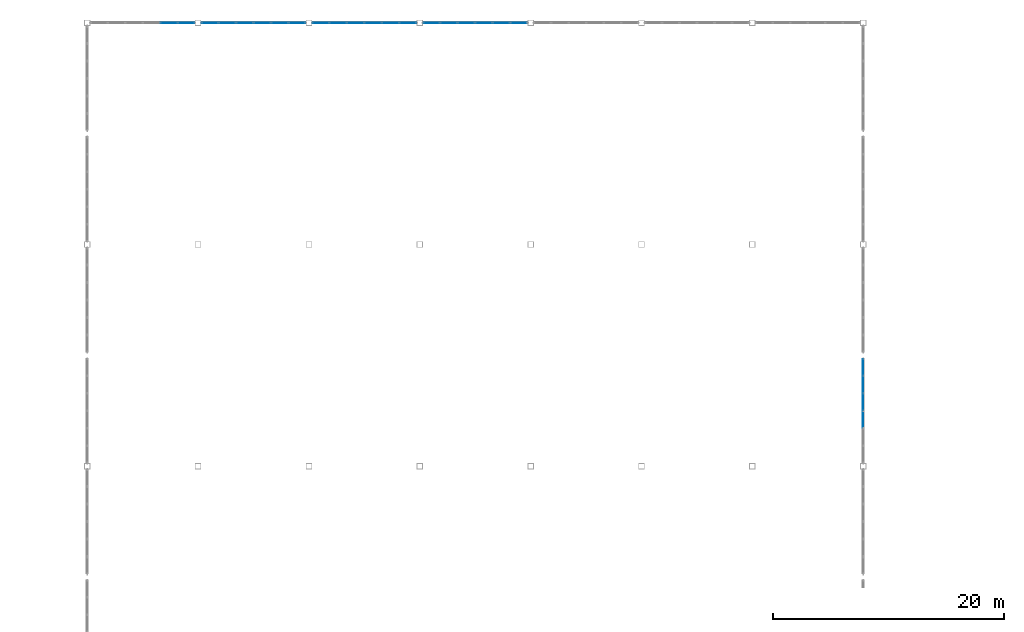
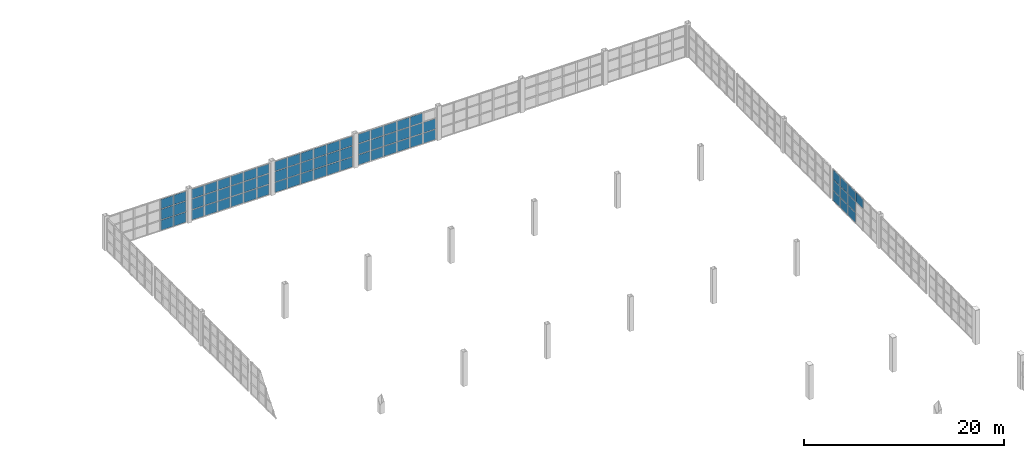
# One storey, part 57 of 82: 69 plates, 5 elements without a shape of their own.
"""IFC4 building model written with IfcOpenShell, lengths in metres."""

from ifc_helpers import new_model, si_unit, direction, frame, origin, origin_2d, place, context, subcontext, project, spatial, rectangle, extrude, material, layer, layer_set, type_object, element, aggregate, save


model = new_model("IFC4")

# Units and contexts
model_context = context("Model", 3, precision=1e-05, world=origin(), true_north=direction((0.0, 1.0)))
body_context = subcontext(model_context, "Body", "Model", "MODEL_VIEW")
ifc_project = project(units=[si_unit("LENGTHUNIT", "METRE"), si_unit("AREAUNIT", "SQUARE_METRE"), si_unit("VOLUMEUNIT", "CUBIC_METRE"), si_unit("PLANEANGLEUNIT", "RADIAN"), si_unit("MASSUNIT", "GRAM", prefix="KILO")], contexts=[model_context])

# Site, building, storey
site_placement = place(None, origin())
site = spatial("IfcSite", under=ifc_project, at=site_placement, CompositionType="ELEMENT")
building_placement = place(site_placement, origin())
building = spatial("IfcBuilding", under=site, at=building_placement, Name="Zarnetskaya Central Station", CompositionType="ELEMENT")
storey_placement = place(building_placement, frame((0.0, 0.0, 10.199951171875)))
storey = spatial("IfcBuildingStorey", under=building, at=storey_placement, Name="L02", CompositionType="ELEMENT", Elevation=10.199951171875)

# Curtain wall, plates
ifc_material = material(Name="Low-E insulated glass", Category="glass")
ifc_layer_1 = layer(ifc_material, 0.1640625, Name="Low-E insulated glass", Category="glass")
ifc_layer_set_1 = layer_set([ifc_layer_1], Name="Low-E insulated glass")
curtain_wall_type = type_object("IfcCurtainWallType", Name="CW-SYS-12", PredefinedType="USERDEFINED", material=ifc_layer_set_1)
curtain_wall_1_placement = place(storey_placement, origin())
curtain_wall_1 = element("IfcCurtainWall", 1, at=curtain_wall_1_placement, inside=storey, type_object=curtain_wall_type, Name="Curtain wall CW-L02-170", ObjectType="CURTAIN WALL", PredefinedType="USERDEFINED")
ifc_layer_2 = layer(ifc_material, 0.028076171875, Name="Low-E insulated glass", Category="glass")
ifc_layer_set_2 = layer_set([ifc_layer_2], Name="Low-E insulated glass")
plate_type_1 = type_object("IfcPlateType", Name="CW-PAN-28", PredefinedType="CURTAIN_PANEL", material=ifc_layer_set_2)
plate_1_placement = place(storey_placement, frame((68.228271484375, 124.800048828125, 0.080078125), z_axis=(0.0, 0.0, 1.0), x_axis=(1.0, 0.0, 0.0)))
plate_1 = element("IfcPlate", 2, at=plate_1_placement, type_object=plate_type_1, Name="CW-18 panel 1.1", PredefinedType="CURTAIN_PANEL", context=body_context, shape_type="SweptSolid", body=[
    extrude(rectangle(XDim=1.396728515625, YDim=0.028076171875, at=origin_2d()), origin(), (0.0, 0.0, 1.0), 1.2060546875),
])
plate_2_placement = place(storey_placement, frame((68.228271484375, 124.800048828125, 1.365966796875), z_axis=(0.0, 0.0, 1.0), x_axis=(1.0, 0.0, 0.0)))
plate_2 = element("IfcPlate", 3, at=plate_2_placement, type_object=plate_type_1, Name="CW-18 panel 1.2", PredefinedType="CURTAIN_PANEL", context=body_context, shape_type="SweptSolid", body=[
    extrude(rectangle(XDim=1.396728515625, YDim=0.028076171875, at=origin_2d()), origin(), (0.0, 0.0, 1.0), 1.24609375),
])
plate_3_placement = place(storey_placement, frame((68.228271484375, 124.800048828125, 2.692138671875), z_axis=(0.0, 0.0, 1.0), x_axis=(1.0, 0.0, 0.0)))
plate_3 = element("IfcPlate", 4, at=plate_3_placement, type_object=plate_type_1, Name="CW-18 panel 1.3", PredefinedType="CURTAIN_PANEL", context=body_context, shape_type="SweptSolid", body=[
    extrude(rectangle(XDim=1.396728515625, YDim=0.028076171875, at=origin_2d()), origin(), (0.0, 0.0, 1.0), 1.1279296875),
])
plate_4_placement = place(storey_placement, frame((69.72509765625, 124.800048828125, 0.080078125), z_axis=(0.0, 0.0, 1.0), x_axis=(1.0, 0.0, 0.0)))
plate_4 = element("IfcPlate", 5, at=plate_4_placement, type_object=plate_type_1, Name="CW-18 panel 2.1", PredefinedType="CURTAIN_PANEL", context=body_context, shape_type="SweptSolid", body=[
    extrude(rectangle(XDim=1.436767578125, YDim=0.028076171875, at=origin_2d()), origin(), (0.0, 0.0, 1.0), 1.2060546875),
])
plate_5_placement = place(storey_placement, frame((69.72509765625, 124.800048828125, 1.365966796875), z_axis=(0.0, 0.0, 1.0), x_axis=(1.0, 0.0, 0.0)))
plate_5 = element("IfcPlate", 6, at=plate_5_placement, type_object=plate_type_1, Name="CW-18 panel 2.2", PredefinedType="CURTAIN_PANEL", context=body_context, shape_type="SweptSolid", body=[
    extrude(rectangle(XDim=1.436767578125, YDim=0.028076171875, at=origin_2d()), origin(), (0.0, 0.0, 1.0), 1.24609375),
])
plate_6_placement = place(storey_placement, frame((69.72509765625, 124.800048828125, 2.692138671875), z_axis=(0.0, 0.0, 1.0), x_axis=(1.0, 0.0, 0.0)))
plate_6 = element("IfcPlate", 7, at=plate_6_placement, type_object=plate_type_1, Name="CW-18 panel 2.3", PredefinedType="CURTAIN_PANEL", context=body_context, shape_type="SweptSolid", body=[
    extrude(rectangle(XDim=1.436767578125, YDim=0.028076171875, at=origin_2d()), origin(), (0.0, 0.0, 1.0), 1.1279296875),
])
plate_7_placement = place(storey_placement, frame((71.24169921875, 124.800048828125, 0.080078125), z_axis=(0.0, 0.0, 1.0), x_axis=(1.0, 0.0, 0.0)))
plate_7 = element("IfcPlate", 8, at=plate_7_placement, type_object=plate_type_1, Name="CW-18 panel 3.1", PredefinedType="CURTAIN_PANEL", context=body_context, shape_type="SweptSolid", body=[
    extrude(rectangle(XDim=1.436767578125, YDim=0.028076171875, at=origin_2d()), origin(), (0.0, 0.0, 1.0), 1.2060546875),
])
plate_8_placement = place(storey_placement, frame((71.24169921875, 124.800048828125, 1.365966796875), z_axis=(0.0, 0.0, 1.0), x_axis=(1.0, 0.0, 0.0)))
plate_8 = element("IfcPlate", 9, at=plate_8_placement, type_object=plate_type_1, Name="CW-18 panel 3.2", PredefinedType="CURTAIN_PANEL", context=body_context, shape_type="SweptSolid", body=[
    extrude(rectangle(XDim=1.436767578125, YDim=0.028076171875, at=origin_2d()), origin(), (0.0, 0.0, 1.0), 1.24609375),
])
plate_9_placement = place(storey_placement, frame((71.24169921875, 124.800048828125, 2.692138671875), z_axis=(0.0, 0.0, 1.0), x_axis=(1.0, 0.0, 0.0)))
plate_9 = element("IfcPlate", 10, at=plate_9_placement, type_object=plate_type_1, Name="CW-18 panel 3.3", PredefinedType="CURTAIN_PANEL", context=body_context, shape_type="SweptSolid", body=[
    extrude(rectangle(XDim=1.436767578125, YDim=0.028076171875, at=origin_2d()), origin(), (0.0, 0.0, 1.0), 1.1279296875),
])
plate_10_placement = place(storey_placement, frame((72.75830078125, 124.800048828125, 0.080078125), z_axis=(0.0, 0.0, 1.0), x_axis=(1.0, 0.0, 0.0)))
plate_10 = element("IfcPlate", 11, at=plate_10_placement, type_object=plate_type_1, Name="CW-18 panel 4.1", PredefinedType="CURTAIN_PANEL", context=body_context, shape_type="SweptSolid", body=[
    extrude(rectangle(XDim=1.436767578125, YDim=0.028076171875, at=origin_2d()), origin(), (0.0, 0.0, 1.0), 1.2060546875),
])
plate_11_placement = place(storey_placement, frame((72.75830078125, 124.800048828125, 1.365966796875), z_axis=(0.0, 0.0, 1.0), x_axis=(1.0, 0.0, 0.0)))
plate_11 = element("IfcPlate", 12, at=plate_11_placement, type_object=plate_type_1, Name="CW-18 panel 4.2", PredefinedType="CURTAIN_PANEL", context=body_context, shape_type="SweptSolid", body=[
    extrude(rectangle(XDim=1.436767578125, YDim=0.028076171875, at=origin_2d()), origin(), (0.0, 0.0, 1.0), 1.24609375),
])
plate_12_placement = place(storey_placement, frame((72.75830078125, 124.800048828125, 2.692138671875), z_axis=(0.0, 0.0, 1.0), x_axis=(1.0, 0.0, 0.0)))
plate_12 = element("IfcPlate", 13, at=plate_12_placement, type_object=plate_type_1, Name="CW-18 panel 4.3", PredefinedType="CURTAIN_PANEL", context=body_context, shape_type="SweptSolid", body=[
    extrude(rectangle(XDim=1.436767578125, YDim=0.028076171875, at=origin_2d()), origin(), (0.0, 0.0, 1.0), 1.1279296875),
])
plate_13_placement = place(storey_placement, frame((74.27490234375, 124.800048828125, 0.080078125), z_axis=(0.0, 0.0, 1.0), x_axis=(1.0, 0.0, 0.0)))
plate_13 = element("IfcPlate", 14, at=plate_13_placement, type_object=plate_type_1, Name="CW-18 panel 5.1", PredefinedType="CURTAIN_PANEL", context=body_context, shape_type="SweptSolid", body=[
    extrude(rectangle(XDim=1.436767578125, YDim=0.028076171875, at=origin_2d()), origin(), (0.0, 0.0, 1.0), 1.2060546875),
])
plate_14_placement = place(storey_placement, frame((74.27490234375, 124.800048828125, 1.365966796875), z_axis=(0.0, 0.0, 1.0), x_axis=(1.0, 0.0, 0.0)))
plate_14 = element("IfcPlate", 15, at=plate_14_placement, type_object=plate_type_1, Name="CW-18 panel 5.2", PredefinedType="CURTAIN_PANEL", context=body_context, shape_type="SweptSolid", body=[
    extrude(rectangle(XDim=1.436767578125, YDim=0.028076171875, at=origin_2d()), origin(), (0.0, 0.0, 1.0), 1.24609375),
])
plate_15_placement = place(storey_placement, frame((74.27490234375, 124.800048828125, 2.692138671875), z_axis=(0.0, 0.0, 1.0), x_axis=(1.0, 0.0, 0.0)))
plate_15 = element("IfcPlate", 16, at=plate_15_placement, type_object=plate_type_1, Name="CW-18 panel 5.3", PredefinedType="CURTAIN_PANEL", context=body_context, shape_type="SweptSolid", body=[
    extrude(rectangle(XDim=1.436767578125, YDim=0.028076171875, at=origin_2d()), origin(), (0.0, 0.0, 1.0), 1.1279296875),
])
plate_16_placement = place(storey_placement, frame((75.771728515625, 124.800048828125, 0.080078125), z_axis=(0.0, 0.0, 1.0), x_axis=(1.0, 0.0, 0.0)))
plate_16 = element("IfcPlate", 17, at=plate_16_placement, type_object=plate_type_1, Name="CW-18 panel 6.1", PredefinedType="CURTAIN_PANEL", context=body_context, shape_type="SweptSolid", body=[
    extrude(rectangle(XDim=1.396728515625, YDim=0.028076171875, at=origin_2d()), origin(), (0.0, 0.0, 1.0), 1.2060546875),
])
plate_17_placement = place(storey_placement, frame((75.771728515625, 124.800048828125, 1.365966796875), z_axis=(0.0, 0.0, 1.0), x_axis=(1.0, 0.0, 0.0)))
plate_17 = element("IfcPlate", 18, at=plate_17_placement, type_object=plate_type_1, Name="CW-18 panel 6.2", PredefinedType="CURTAIN_PANEL", context=body_context, shape_type="SweptSolid", body=[
    extrude(rectangle(XDim=1.396728515625, YDim=0.028076171875, at=origin_2d()), origin(), (0.0, 0.0, 1.0), 1.24609375),
])
plate_18_placement = place(storey_placement, frame((75.771728515625, 124.800048828125, 2.692138671875), z_axis=(0.0, 0.0, 1.0), x_axis=(1.0, 0.0, 0.0)))
plate_18 = element("IfcPlate", 19, at=plate_18_placement, type_object=plate_type_1, Name="CW-18 panel 6.3", PredefinedType="CURTAIN_PANEL", context=body_context, shape_type="SweptSolid", body=[
    extrude(rectangle(XDim=1.396728515625, YDim=0.028076171875, at=origin_2d()), origin(), (0.0, 0.0, 1.0), 1.1279296875),
])
aggregate(curtain_wall_1, [plate_1, plate_2, plate_3, plate_4, plate_5, plate_6, plate_7, plate_8, plate_9, plate_10, plate_11, plate_12, plate_13, plate_14, plate_15, plate_16, plate_17, plate_18])

curtain_wall_2_placement = place(storey_placement, origin())
curtain_wall_2 = element("IfcCurtainWall", 20, at=curtain_wall_2_placement, inside=storey, type_object=curtain_wall_type, Name="Curtain wall CW-L02-171", ObjectType="CURTAIN WALL", PredefinedType="USERDEFINED")
ifc_layer_3 = layer(ifc_material, 0.031982421875, Name="Low-E insulated glass", Category="glass")
ifc_layer_set_3 = layer_set([ifc_layer_3], Name="Low-E insulated glass")
plate_type_2 = type_object("IfcPlateType", Name="CW-PAN-32", PredefinedType="CURTAIN_PANEL", material=ifc_layer_set_3)
plate_19_placement = place(storey_placement, frame((77.825927734375, 124.800048828125, 0.0703125), z_axis=(0.0, 0.0, 1.0), x_axis=(1.0, 0.0, 0.0)))
plate_19 = element("IfcPlate", 21, at=plate_19_placement, type_object=plate_type_2, Name="CW-18 panel 1.1", PredefinedType="CURTAIN_PANEL", context=body_context, shape_type="SweptSolid", body=[
    extrude(rectangle(XDim=1.41162109375, YDim=0.031982421875, at=origin_2d()), origin(), (0.0, 0.0, 1.0), 1.220947265625),
])
plate_20_placement = place(storey_placement, frame((77.825927734375, 124.800048828125, 1.36083984375), z_axis=(0.0, 0.0, 1.0), x_axis=(1.0, 0.0, 0.0)))
plate_20 = element("IfcPlate", 22, at=plate_20_placement, type_object=plate_type_2, Name="CW-18 panel 1.2", PredefinedType="CURTAIN_PANEL", context=body_context, shape_type="SweptSolid", body=[
    extrude(rectangle(XDim=1.41162109375, YDim=0.031982421875, at=origin_2d()), origin(), (0.0, 0.0, 1.0), 1.256103515625),
])
plate_21_placement = place(storey_placement, frame((77.825927734375, 124.800048828125, 2.68701171875), z_axis=(0.0, 0.0, 1.0), x_axis=(1.0, 0.0, 0.0)))
plate_21 = element("IfcPlate", 23, at=plate_21_placement, type_object=plate_type_2, Name="CW-18 panel 1.3", PredefinedType="CURTAIN_PANEL", context=body_context, shape_type="SweptSolid", body=[
    extrude(rectangle(XDim=1.41162109375, YDim=0.031982421875, at=origin_2d()), origin(), (0.0, 0.0, 1.0), 1.14306640625),
])
plate_22_placement = place(storey_placement, frame((79.324951171875, 124.800048828125, 0.0703125), z_axis=(0.0, 0.0, 1.0), x_axis=(1.0, 0.0, 0.0)))
plate_22 = element("IfcPlate", 24, at=plate_22_placement, type_object=plate_type_2, Name="CW-18 panel 2.1", PredefinedType="CURTAIN_PANEL", context=body_context, shape_type="SweptSolid", body=[
    extrude(rectangle(XDim=1.44677734375, YDim=0.031982421875, at=origin_2d()), origin(), (0.0, 0.0, 1.0), 1.220947265625),
])
plate_23_placement = place(storey_placement, frame((79.324951171875, 124.800048828125, 1.36083984375), z_axis=(0.0, 0.0, 1.0), x_axis=(1.0, 0.0, 0.0)))
plate_23 = element("IfcPlate", 25, at=plate_23_placement, type_object=plate_type_2, Name="CW-18 panel 2.2", PredefinedType="CURTAIN_PANEL", context=body_context, shape_type="SweptSolid", body=[
    extrude(rectangle(XDim=1.44677734375, YDim=0.031982421875, at=origin_2d()), origin(), (0.0, 0.0, 1.0), 1.256103515625),
])
plate_24_placement = place(storey_placement, frame((79.324951171875, 124.800048828125, 2.68701171875), z_axis=(0.0, 0.0, 1.0), x_axis=(1.0, 0.0, 0.0)))
plate_24 = element("IfcPlate", 26, at=plate_24_placement, type_object=plate_type_2, Name="CW-18 panel 2.3", PredefinedType="CURTAIN_PANEL", context=body_context, shape_type="SweptSolid", body=[
    extrude(rectangle(XDim=1.44677734375, YDim=0.031982421875, at=origin_2d()), origin(), (0.0, 0.0, 1.0), 1.14306640625),
])
plate_25_placement = place(storey_placement, frame((80.841552734375, 124.800048828125, 0.0703125), z_axis=(0.0, 0.0, 1.0), x_axis=(1.0, 0.0, 0.0)))
plate_25 = element("IfcPlate", 27, at=plate_25_placement, type_object=plate_type_2, Name="CW-18 panel 3.1", PredefinedType="CURTAIN_PANEL", context=body_context, shape_type="SweptSolid", body=[
    extrude(rectangle(XDim=1.44677734375, YDim=0.031982421875, at=origin_2d()), origin(), (0.0, 0.0, 1.0), 1.220947265625),
])
plate_26_placement = place(storey_placement, frame((80.841552734375, 124.800048828125, 1.36083984375), z_axis=(0.0, 0.0, 1.0), x_axis=(1.0, 0.0, 0.0)))
plate_26 = element("IfcPlate", 28, at=plate_26_placement, type_object=plate_type_2, Name="CW-18 panel 3.2", PredefinedType="CURTAIN_PANEL", context=body_context, shape_type="SweptSolid", body=[
    extrude(rectangle(XDim=1.44677734375, YDim=0.031982421875, at=origin_2d()), origin(), (0.0, 0.0, 1.0), 1.256103515625),
])
plate_27_placement = place(storey_placement, frame((80.841552734375, 124.800048828125, 2.68701171875), z_axis=(0.0, 0.0, 1.0), x_axis=(1.0, 0.0, 0.0)))
plate_27 = element("IfcPlate", 29, at=plate_27_placement, type_object=plate_type_2, Name="CW-18 panel 3.3", PredefinedType="CURTAIN_PANEL", context=body_context, shape_type="SweptSolid", body=[
    extrude(rectangle(XDim=1.44677734375, YDim=0.031982421875, at=origin_2d()), origin(), (0.0, 0.0, 1.0), 1.14306640625),
])
plate_28_placement = place(storey_placement, frame((82.3583984375, 124.800048828125, 0.0703125), z_axis=(0.0, 0.0, 1.0), x_axis=(1.0, 0.0, 0.0)))
plate_28 = element("IfcPlate", 30, at=plate_28_placement, type_object=plate_type_2, Name="CW-18 panel 4.1", PredefinedType="CURTAIN_PANEL", context=body_context, shape_type="SweptSolid", body=[
    extrude(rectangle(XDim=1.44677734375, YDim=0.031982421875, at=origin_2d()), origin(), (0.0, 0.0, 1.0), 1.220947265625),
])
plate_29_placement = place(storey_placement, frame((82.3583984375, 124.800048828125, 1.36083984375), z_axis=(0.0, 0.0, 1.0), x_axis=(1.0, 0.0, 0.0)))
plate_29 = element("IfcPlate", 31, at=plate_29_placement, type_object=plate_type_2, Name="CW-18 panel 4.2", PredefinedType="CURTAIN_PANEL", context=body_context, shape_type="SweptSolid", body=[
    extrude(rectangle(XDim=1.44677734375, YDim=0.031982421875, at=origin_2d()), origin(), (0.0, 0.0, 1.0), 1.256103515625),
])
plate_30_placement = place(storey_placement, frame((82.3583984375, 124.800048828125, 2.68701171875), z_axis=(0.0, 0.0, 1.0), x_axis=(1.0, 0.0, 0.0)))
plate_30 = element("IfcPlate", 32, at=plate_30_placement, type_object=plate_type_2, Name="CW-18 panel 4.3", PredefinedType="CURTAIN_PANEL", context=body_context, shape_type="SweptSolid", body=[
    extrude(rectangle(XDim=1.44677734375, YDim=0.031982421875, at=origin_2d()), origin(), (0.0, 0.0, 1.0), 1.14306640625),
])
plate_31_placement = place(storey_placement, frame((83.875, 124.800048828125, 0.0703125), z_axis=(0.0, 0.0, 1.0), x_axis=(1.0, 0.0, 0.0)))
plate_31 = element("IfcPlate", 33, at=plate_31_placement, type_object=plate_type_2, Name="CW-18 panel 5.1", PredefinedType="CURTAIN_PANEL", context=body_context, shape_type="SweptSolid", body=[
    extrude(rectangle(XDim=1.44677734375, YDim=0.031982421875, at=origin_2d()), origin(), (0.0, 0.0, 1.0), 1.220947265625),
])
plate_32_placement = place(storey_placement, frame((83.875, 124.800048828125, 1.36083984375), z_axis=(0.0, 0.0, 1.0), x_axis=(1.0, 0.0, 0.0)))
plate_32 = element("IfcPlate", 34, at=plate_32_placement, type_object=plate_type_2, Name="CW-18 panel 5.2", PredefinedType="CURTAIN_PANEL", context=body_context, shape_type="SweptSolid", body=[
    extrude(rectangle(XDim=1.44677734375, YDim=0.031982421875, at=origin_2d()), origin(), (0.0, 0.0, 1.0), 1.256103515625),
])
plate_33_placement = place(storey_placement, frame((83.875, 124.800048828125, 2.68701171875), z_axis=(0.0, 0.0, 1.0), x_axis=(1.0, 0.0, 0.0)))
plate_33 = element("IfcPlate", 35, at=plate_33_placement, type_object=plate_type_2, Name="CW-18 panel 5.3", PredefinedType="CURTAIN_PANEL", context=body_context, shape_type="SweptSolid", body=[
    extrude(rectangle(XDim=1.44677734375, YDim=0.031982421875, at=origin_2d()), origin(), (0.0, 0.0, 1.0), 1.14306640625),
])
plate_34_placement = place(storey_placement, frame((85.374267578125, 124.800048828125, 0.0703125), z_axis=(0.0, 0.0, 1.0), x_axis=(1.0, 0.0, 0.0)))
plate_34 = element("IfcPlate", 36, at=plate_34_placement, type_object=plate_type_2, Name="CW-18 panel 6.1", PredefinedType="CURTAIN_PANEL", context=body_context, shape_type="SweptSolid", body=[
    extrude(rectangle(XDim=1.41162109375, YDim=0.031982421875, at=origin_2d()), origin(), (0.0, 0.0, 1.0), 1.220947265625),
])
plate_35_placement = place(storey_placement, frame((85.374267578125, 124.800048828125, 1.36083984375), z_axis=(0.0, 0.0, 1.0), x_axis=(1.0, 0.0, 0.0)))
plate_35 = element("IfcPlate", 37, at=plate_35_placement, type_object=plate_type_2, Name="CW-18 panel 6.2", PredefinedType="CURTAIN_PANEL", context=body_context, shape_type="SweptSolid", body=[
    extrude(rectangle(XDim=1.41162109375, YDim=0.031982421875, at=origin_2d()), origin(), (0.0, 0.0, 1.0), 1.256103515625),
])
plate_36_placement = place(storey_placement, frame((85.374267578125, 124.800048828125, 2.68701171875), z_axis=(0.0, 0.0, 1.0), x_axis=(1.0, 0.0, 0.0)))
plate_36 = element("IfcPlate", 38, at=plate_36_placement, type_object=plate_type_2, Name="CW-18 panel 6.3", PredefinedType="CURTAIN_PANEL", context=body_context, shape_type="SweptSolid", body=[
    extrude(rectangle(XDim=1.41162109375, YDim=0.031982421875, at=origin_2d()), origin(), (0.0, 0.0, 1.0), 1.14306640625),
])
aggregate(curtain_wall_2, [plate_19, plate_20, plate_21, plate_22, plate_23, plate_24, plate_25, plate_26, plate_27, plate_28, plate_29, plate_30, plate_31, plate_32, plate_33, plate_34, plate_35, plate_36])

curtain_wall_3_placement = place(storey_placement, origin())
curtain_wall_3 = element("IfcCurtainWall", 39, at=curtain_wall_3_placement, inside=storey, type_object=curtain_wall_type, Name="Curtain wall CW-L02-172", ObjectType="CURTAIN WALL", PredefinedType="USERDEFINED")
ifc_layer_4 = layer(ifc_material, 0.035888671875, Name="Low-E insulated glass", Category="glass")
ifc_layer_set_4 = layer_set([ifc_layer_4], Name="Low-E insulated glass")
plate_type_3 = type_object("IfcPlateType", Name="CW-PAN-36", PredefinedType="CURTAIN_PANEL", material=ifc_layer_set_4)
plate_37_placement = place(storey_placement, frame((87.42822265625, 124.800048828125, 0.080078125), z_axis=(0.0, 0.0, 1.0), x_axis=(1.0, 0.0, 0.0)))
plate_37 = element("IfcPlate", 40, at=plate_37_placement, type_object=plate_type_3, Name="CW-18 panel 1.1", PredefinedType="CURTAIN_PANEL", context=body_context, shape_type="SweptSolid", body=[
    extrude(rectangle(XDim=1.396728515625, YDim=0.035888671875, at=origin_2d()), origin(), (0.0, 0.0, 1.0), 1.2060546875),
])
plate_38_placement = place(storey_placement, frame((87.42822265625, 124.800048828125, 1.365966796875), z_axis=(0.0, 0.0, 1.0), x_axis=(1.0, 0.0, 0.0)))
plate_38 = element("IfcPlate", 41, at=plate_38_placement, type_object=plate_type_3, Name="CW-18 panel 1.2", PredefinedType="CURTAIN_PANEL", context=body_context, shape_type="SweptSolid", body=[
    extrude(rectangle(XDim=1.396728515625, YDim=0.035888671875, at=origin_2d()), origin(), (0.0, 0.0, 1.0), 1.24609375),
])
plate_39_placement = place(storey_placement, frame((87.42822265625, 124.800048828125, 2.692138671875), z_axis=(0.0, 0.0, 1.0), x_axis=(1.0, 0.0, 0.0)))
plate_39 = element("IfcPlate", 42, at=plate_39_placement, type_object=plate_type_3, Name="CW-18 panel 1.3", PredefinedType="CURTAIN_PANEL", context=body_context, shape_type="SweptSolid", body=[
    extrude(rectangle(XDim=1.396728515625, YDim=0.035888671875, at=origin_2d()), origin(), (0.0, 0.0, 1.0), 1.1279296875),
])
plate_40_placement = place(storey_placement, frame((88.925048828125, 124.800048828125, 0.080078125), z_axis=(0.0, 0.0, 1.0), x_axis=(1.0, 0.0, 0.0)))
plate_40 = element("IfcPlate", 43, at=plate_40_placement, type_object=plate_type_3, Name="CW-18 panel 2.1", PredefinedType="CURTAIN_PANEL", context=body_context, shape_type="SweptSolid", body=[
    extrude(rectangle(XDim=1.436767578125, YDim=0.035888671875, at=origin_2d()), origin(), (0.0, 0.0, 1.0), 1.2060546875),
])
plate_41_placement = place(storey_placement, frame((88.925048828125, 124.800048828125, 1.365966796875), z_axis=(0.0, 0.0, 1.0), x_axis=(1.0, 0.0, 0.0)))
plate_41 = element("IfcPlate", 44, at=plate_41_placement, type_object=plate_type_3, Name="CW-18 panel 2.2", PredefinedType="CURTAIN_PANEL", context=body_context, shape_type="SweptSolid", body=[
    extrude(rectangle(XDim=1.436767578125, YDim=0.035888671875, at=origin_2d()), origin(), (0.0, 0.0, 1.0), 1.24609375),
])
plate_42_placement = place(storey_placement, frame((88.925048828125, 124.800048828125, 2.692138671875), z_axis=(0.0, 0.0, 1.0), x_axis=(1.0, 0.0, 0.0)))
plate_42 = element("IfcPlate", 45, at=plate_42_placement, type_object=plate_type_3, Name="CW-18 panel 2.3", PredefinedType="CURTAIN_PANEL", context=body_context, shape_type="SweptSolid", body=[
    extrude(rectangle(XDim=1.436767578125, YDim=0.035888671875, at=origin_2d()), origin(), (0.0, 0.0, 1.0), 1.1279296875),
])
plate_43_placement = place(storey_placement, frame((90.441650390625, 124.800048828125, 0.080078125), z_axis=(0.0, 0.0, 1.0), x_axis=(1.0, 0.0, 0.0)))
plate_43 = element("IfcPlate", 46, at=plate_43_placement, type_object=plate_type_3, Name="CW-18 panel 3.1", PredefinedType="CURTAIN_PANEL", context=body_context, shape_type="SweptSolid", body=[
    extrude(rectangle(XDim=1.436767578125, YDim=0.035888671875, at=origin_2d()), origin(), (0.0, 0.0, 1.0), 1.2060546875),
])
plate_44_placement = place(storey_placement, frame((90.441650390625, 124.800048828125, 1.365966796875), z_axis=(0.0, 0.0, 1.0), x_axis=(1.0, 0.0, 0.0)))
plate_44 = element("IfcPlate", 47, at=plate_44_placement, type_object=plate_type_3, Name="CW-18 panel 3.2", PredefinedType="CURTAIN_PANEL", context=body_context, shape_type="SweptSolid", body=[
    extrude(rectangle(XDim=1.436767578125, YDim=0.035888671875, at=origin_2d()), origin(), (0.0, 0.0, 1.0), 1.24609375),
])
plate_45_placement = place(storey_placement, frame((90.441650390625, 124.800048828125, 2.692138671875), z_axis=(0.0, 0.0, 1.0), x_axis=(1.0, 0.0, 0.0)))
plate_45 = element("IfcPlate", 48, at=plate_45_placement, type_object=plate_type_3, Name="CW-18 panel 3.3", PredefinedType="CURTAIN_PANEL", context=body_context, shape_type="SweptSolid", body=[
    extrude(rectangle(XDim=1.436767578125, YDim=0.035888671875, at=origin_2d()), origin(), (0.0, 0.0, 1.0), 1.1279296875),
])
plate_46_placement = place(storey_placement, frame((91.958251953125, 124.800048828125, 0.080078125), z_axis=(0.0, 0.0, 1.0), x_axis=(1.0, 0.0, 0.0)))
plate_46 = element("IfcPlate", 49, at=plate_46_placement, type_object=plate_type_3, Name="CW-18 panel 4.1", PredefinedType="CURTAIN_PANEL", context=body_context, shape_type="SweptSolid", body=[
    extrude(rectangle(XDim=1.436767578125, YDim=0.035888671875, at=origin_2d()), origin(), (0.0, 0.0, 1.0), 1.2060546875),
])
plate_47_placement = place(storey_placement, frame((91.958251953125, 124.800048828125, 1.365966796875), z_axis=(0.0, 0.0, 1.0), x_axis=(1.0, 0.0, 0.0)))
plate_47 = element("IfcPlate", 50, at=plate_47_placement, type_object=plate_type_3, Name="CW-18 panel 4.2", PredefinedType="CURTAIN_PANEL", context=body_context, shape_type="SweptSolid", body=[
    extrude(rectangle(XDim=1.436767578125, YDim=0.035888671875, at=origin_2d()), origin(), (0.0, 0.0, 1.0), 1.24609375),
])
plate_48_placement = place(storey_placement, frame((91.958251953125, 124.800048828125, 2.692138671875), z_axis=(0.0, 0.0, 1.0), x_axis=(1.0, 0.0, 0.0)))
plate_48 = element("IfcPlate", 51, at=plate_48_placement, type_object=plate_type_3, Name="CW-18 panel 4.3", PredefinedType="CURTAIN_PANEL", context=body_context, shape_type="SweptSolid", body=[
    extrude(rectangle(XDim=1.436767578125, YDim=0.035888671875, at=origin_2d()), origin(), (0.0, 0.0, 1.0), 1.1279296875),
])
plate_49_placement = place(storey_placement, frame((93.47509765625, 124.800048828125, 0.080078125), z_axis=(0.0, 0.0, 1.0), x_axis=(1.0, 0.0, 0.0)))
plate_49 = element("IfcPlate", 52, at=plate_49_placement, type_object=plate_type_3, Name="CW-18 panel 5.1", PredefinedType="CURTAIN_PANEL", context=body_context, shape_type="SweptSolid", body=[
    extrude(rectangle(XDim=1.436767578125, YDim=0.035888671875, at=origin_2d()), origin(), (0.0, 0.0, 1.0), 1.2060546875),
])
plate_50_placement = place(storey_placement, frame((93.47509765625, 124.800048828125, 1.365966796875), z_axis=(0.0, 0.0, 1.0), x_axis=(1.0, 0.0, 0.0)))
plate_50 = element("IfcPlate", 53, at=plate_50_placement, type_object=plate_type_3, Name="CW-18 panel 5.2", PredefinedType="CURTAIN_PANEL", context=body_context, shape_type="SweptSolid", body=[
    extrude(rectangle(XDim=1.436767578125, YDim=0.035888671875, at=origin_2d()), origin(), (0.0, 0.0, 1.0), 1.24609375),
])
plate_51_placement = place(storey_placement, frame((93.47509765625, 124.800048828125, 2.692138671875), z_axis=(0.0, 0.0, 1.0), x_axis=(1.0, 0.0, 0.0)))
plate_51 = element("IfcPlate", 54, at=plate_51_placement, type_object=plate_type_3, Name="CW-18 panel 5.3", PredefinedType="CURTAIN_PANEL", context=body_context, shape_type="SweptSolid", body=[
    extrude(rectangle(XDim=1.436767578125, YDim=0.035888671875, at=origin_2d()), origin(), (0.0, 0.0, 1.0), 1.1279296875),
])
plate_52_placement = place(storey_placement, frame((94.9716796875, 124.800048828125, 0.080078125), z_axis=(0.0, 0.0, 1.0), x_axis=(1.0, 0.0, 0.0)))
plate_52 = element("IfcPlate", 55, at=plate_52_placement, type_object=plate_type_3, Name="CW-18 panel 6.1", PredefinedType="CURTAIN_PANEL", context=body_context, shape_type="SweptSolid", body=[
    extrude(rectangle(XDim=1.396728515625, YDim=0.035888671875, at=origin_2d()), origin(), (0.0, 0.0, 1.0), 1.2060546875),
])
plate_53_placement = place(storey_placement, frame((94.9716796875, 124.800048828125, 1.365966796875), z_axis=(0.0, 0.0, 1.0), x_axis=(1.0, 0.0, 0.0)))
plate_53 = element("IfcPlate", 56, at=plate_53_placement, type_object=plate_type_3, Name="CW-18 panel 6.2", PredefinedType="CURTAIN_PANEL", context=body_context, shape_type="SweptSolid", body=[
    extrude(rectangle(XDim=1.396728515625, YDim=0.035888671875, at=origin_2d()), origin(), (0.0, 0.0, 1.0), 1.24609375),
])
aggregate(curtain_wall_3, [plate_37, plate_38, plate_39, plate_40, plate_41, plate_42, plate_43, plate_44, plate_45, plate_46, plate_47, plate_48, plate_49, plate_50, plate_51, plate_52, plate_53])

curtain_wall_4_placement = place(storey_placement, origin())
curtain_wall_4 = element("IfcCurtainWall", 57, at=curtain_wall_4_placement, inside=storey, type_object=curtain_wall_type, Name="Curtain wall CW-L02-169", ObjectType="CURTAIN WALL", PredefinedType="USERDEFINED")
ifc_layer_5 = layer(ifc_material, 0.0439453125, Name="Low-E insulated glass", Category="glass")
ifc_layer_set_5 = layer_set([ifc_layer_5], Name="Low-E insulated glass")
plate_type_4 = type_object("IfcPlateType", Name="CW-PAN-44", PredefinedType="CURTAIN_PANEL", material=ifc_layer_set_5)
plate_54_placement = place(storey_placement, frame((64.675048828125, 124.800048828125, 0.0703125), z_axis=(0.0, 0.0, 1.0), x_axis=(1.0, 0.0, 0.0)))
plate_54 = element("IfcPlate", 58, at=plate_54_placement, type_object=plate_type_4, Name="CW-18 panel 5.1", PredefinedType="CURTAIN_PANEL", context=body_context, shape_type="SweptSolid", body=[
    extrude(rectangle(XDim=1.44677734375, YDim=0.0439453125, at=origin_2d()), origin(), (0.0, 0.0, 1.0), 1.220947265625),
])
plate_55_placement = place(storey_placement, frame((64.675048828125, 124.800048828125, 1.36083984375), z_axis=(0.0, 0.0, 1.0), x_axis=(1.0, 0.0, 0.0)))
plate_55 = element("IfcPlate", 59, at=plate_55_placement, type_object=plate_type_4, Name="CW-18 panel 5.2", PredefinedType="CURTAIN_PANEL", context=body_context, shape_type="SweptSolid", body=[
    extrude(rectangle(XDim=1.44677734375, YDim=0.0439453125, at=origin_2d()), origin(), (0.0, 0.0, 1.0), 1.256103515625),
])
plate_56_placement = place(storey_placement, frame((64.675048828125, 124.800048828125, 2.68701171875), z_axis=(0.0, 0.0, 1.0), x_axis=(1.0, 0.0, 0.0)))
plate_56 = element("IfcPlate", 60, at=plate_56_placement, type_object=plate_type_4, Name="CW-18 panel 5.3", PredefinedType="CURTAIN_PANEL", context=body_context, shape_type="SweptSolid", body=[
    extrude(rectangle(XDim=1.44677734375, YDim=0.0439453125, at=origin_2d()), origin(), (0.0, 0.0, 1.0), 1.14306640625),
])
plate_57_placement = place(storey_placement, frame((66.174072265625, 124.800048828125, 0.0703125), z_axis=(0.0, 0.0, 1.0), x_axis=(1.0, 0.0, 0.0)))
plate_57 = element("IfcPlate", 61, at=plate_57_placement, type_object=plate_type_4, Name="CW-18 panel 6.1", PredefinedType="CURTAIN_PANEL", context=body_context, shape_type="SweptSolid", body=[
    extrude(rectangle(XDim=1.41162109375, YDim=0.0439453125, at=origin_2d()), origin(), (0.0, 0.0, 1.0), 1.220947265625),
])
plate_58_placement = place(storey_placement, frame((66.174072265625, 124.800048828125, 1.36083984375), z_axis=(0.0, 0.0, 1.0), x_axis=(1.0, 0.0, 0.0)))
plate_58 = element("IfcPlate", 62, at=plate_58_placement, type_object=plate_type_4, Name="CW-18 panel 6.2", PredefinedType="CURTAIN_PANEL", context=body_context, shape_type="SweptSolid", body=[
    extrude(rectangle(XDim=1.41162109375, YDim=0.0439453125, at=origin_2d()), origin(), (0.0, 0.0, 1.0), 1.256103515625),
])
plate_59_placement = place(storey_placement, frame((66.174072265625, 124.800048828125, 2.68701171875), z_axis=(0.0, 0.0, 1.0), x_axis=(1.0, 0.0, 0.0)))
plate_59 = element("IfcPlate", 63, at=plate_59_placement, type_object=plate_type_4, Name="CW-18 panel 6.3", PredefinedType="CURTAIN_PANEL", context=body_context, shape_type="SweptSolid", body=[
    extrude(rectangle(XDim=1.41162109375, YDim=0.0439453125, at=origin_2d()), origin(), (0.0, 0.0, 1.0), 1.14306640625),
])
aggregate(curtain_wall_4, [plate_54, plate_55, plate_56, plate_57, plate_58, plate_59])

curtain_wall_5_placement = place(storey_placement, origin())
curtain_wall_5 = element("IfcCurtainWall", 64, at=curtain_wall_5_placement, inside=storey, type_object=curtain_wall_type, Name="Curtain wall CW-L02-179", ObjectType="CURTAIN WALL", PredefinedType="USERDEFINED")
plate_60_placement = place(storey_placement, frame((124.800048828125, 94.97412109375, 0.0703125), z_axis=(0.0, 0.0, 1.0), x_axis=(0.0, -1.0, 0.0)))
plate_60 = element("IfcPlate", 65, at=plate_60_placement, type_object=plate_type_4, Name="CW-18 panel 1.1", PredefinedType="CURTAIN_PANEL", context=body_context, shape_type="SweptSolid", body=[
    extrude(rectangle(XDim=1.41162109375, YDim=0.0439453125, at=origin_2d()), origin(), (0.0, 0.0, 1.0), 1.220947265625),
])
plate_61_placement = place(storey_placement, frame((124.800048828125, 94.97412109375, 1.36083984375), z_axis=(0.0, 0.0, 1.0), x_axis=(0.0, -1.0, 0.0)))
plate_61 = element("IfcPlate", 66, at=plate_61_placement, type_object=plate_type_4, Name="CW-18 panel 1.2", PredefinedType="CURTAIN_PANEL", context=body_context, shape_type="SweptSolid", body=[
    extrude(rectangle(XDim=1.41162109375, YDim=0.0439453125, at=origin_2d()), origin(), (0.0, 0.0, 1.0), 1.256103515625),
])
plate_62_placement = place(storey_placement, frame((124.800048828125, 94.97412109375, 2.68701171875), z_axis=(0.0, 0.0, 1.0), x_axis=(0.0, -1.0, 0.0)))
plate_62 = element("IfcPlate", 67, at=plate_62_placement, type_object=plate_type_4, Name="CW-18 panel 1.3", PredefinedType="CURTAIN_PANEL", context=body_context, shape_type="SweptSolid", body=[
    extrude(rectangle(XDim=1.41162109375, YDim=0.0439453125, at=origin_2d()), origin(), (0.0, 0.0, 1.0), 1.14306640625),
])
plate_63_placement = place(storey_placement, frame((124.800048828125, 93.47509765625, 0.0703125), z_axis=(0.0, 0.0, 1.0), x_axis=(0.0, -1.0, 0.0)))
plate_63 = element("IfcPlate", 68, at=plate_63_placement, type_object=plate_type_4, Name="CW-18 panel 2.1", PredefinedType="CURTAIN_PANEL", context=body_context, shape_type="SweptSolid", body=[
    extrude(rectangle(XDim=1.44677734375, YDim=0.0439453125, at=origin_2d()), origin(), (0.0, 0.0, 1.0), 1.220947265625),
])
plate_64_placement = place(storey_placement, frame((124.800048828125, 93.47509765625, 1.36083984375), z_axis=(0.0, 0.0, 1.0), x_axis=(0.0, -1.0, 0.0)))
plate_64 = element("IfcPlate", 69, at=plate_64_placement, type_object=plate_type_4, Name="CW-18 panel 2.2", PredefinedType="CURTAIN_PANEL", context=body_context, shape_type="SweptSolid", body=[
    extrude(rectangle(XDim=1.44677734375, YDim=0.0439453125, at=origin_2d()), origin(), (0.0, 0.0, 1.0), 1.256103515625),
])
plate_65_placement = place(storey_placement, frame((124.800048828125, 93.47509765625, 2.68701171875), z_axis=(0.0, 0.0, 1.0), x_axis=(0.0, -1.0, 0.0)))
plate_65 = element("IfcPlate", 70, at=plate_65_placement, type_object=plate_type_4, Name="CW-18 panel 2.3", PredefinedType="CURTAIN_PANEL", context=body_context, shape_type="SweptSolid", body=[
    extrude(rectangle(XDim=1.44677734375, YDim=0.0439453125, at=origin_2d()), origin(), (0.0, 0.0, 1.0), 1.14306640625),
])
plate_66_placement = place(storey_placement, frame((124.800048828125, 91.958251953125, 0.0703125), z_axis=(0.0, 0.0, 1.0), x_axis=(0.0, -1.0, 0.0)))
plate_66 = element("IfcPlate", 71, at=plate_66_placement, type_object=plate_type_4, Name="CW-18 panel 3.1", PredefinedType="CURTAIN_PANEL", context=body_context, shape_type="SweptSolid", body=[
    extrude(rectangle(XDim=1.44677734375, YDim=0.0439453125, at=origin_2d()), origin(), (0.0, 0.0, 1.0), 1.220947265625),
])
plate_67_placement = place(storey_placement, frame((124.800048828125, 91.958251953125, 1.36083984375), z_axis=(0.0, 0.0, 1.0), x_axis=(0.0, -1.0, 0.0)))
plate_67 = element("IfcPlate", 72, at=plate_67_placement, type_object=plate_type_4, Name="CW-18 panel 3.2", PredefinedType="CURTAIN_PANEL", context=body_context, shape_type="SweptSolid", body=[
    extrude(rectangle(XDim=1.44677734375, YDim=0.0439453125, at=origin_2d()), origin(), (0.0, 0.0, 1.0), 1.256103515625),
])
plate_68_placement = place(storey_placement, frame((124.800048828125, 91.958251953125, 2.68701171875), z_axis=(0.0, 0.0, 1.0), x_axis=(0.0, -1.0, 0.0)))
plate_68 = element("IfcPlate", 73, at=plate_68_placement, type_object=plate_type_4, Name="CW-18 panel 3.3", PredefinedType="CURTAIN_PANEL", context=body_context, shape_type="SweptSolid", body=[
    extrude(rectangle(XDim=1.44677734375, YDim=0.0439453125, at=origin_2d()), origin(), (0.0, 0.0, 1.0), 1.14306640625),
])
plate_69_placement = place(storey_placement, frame((124.800048828125, 90.441650390625, 2.68701171875), z_axis=(0.0, 0.0, 1.0), x_axis=(0.0, -1.0, 0.0)))
plate_69 = element("IfcPlate", 74, at=plate_69_placement, type_object=plate_type_4, Name="CW-18 panel 4.3", PredefinedType="CURTAIN_PANEL", context=body_context, shape_type="SweptSolid", body=[
    extrude(rectangle(XDim=1.44677734375, YDim=0.0439453125, at=origin_2d()), origin(), (0.0, 0.0, 1.0), 1.14306640625),
])
aggregate(curtain_wall_5, [plate_60, plate_61, plate_62, plate_63, plate_64, plate_65, plate_66, plate_67, plate_68, plate_69])

save(model, "model.ifc")
